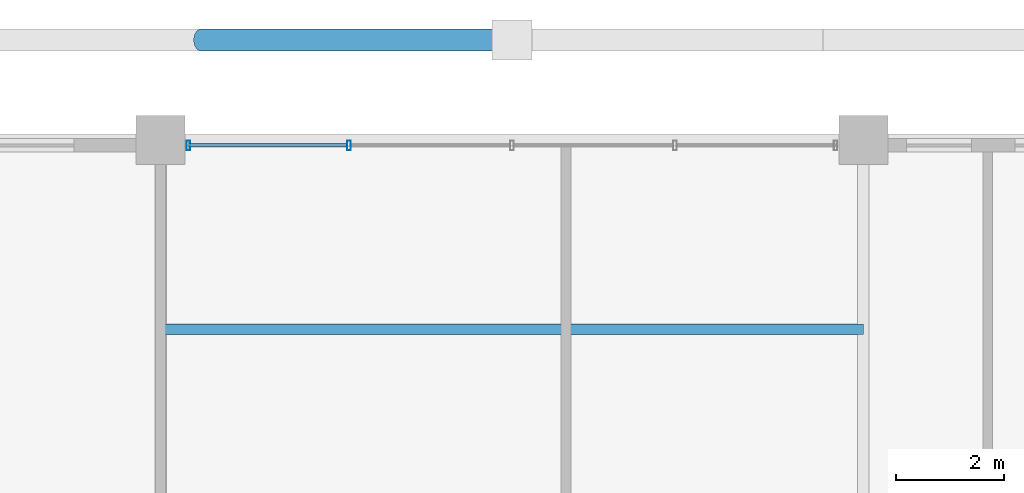
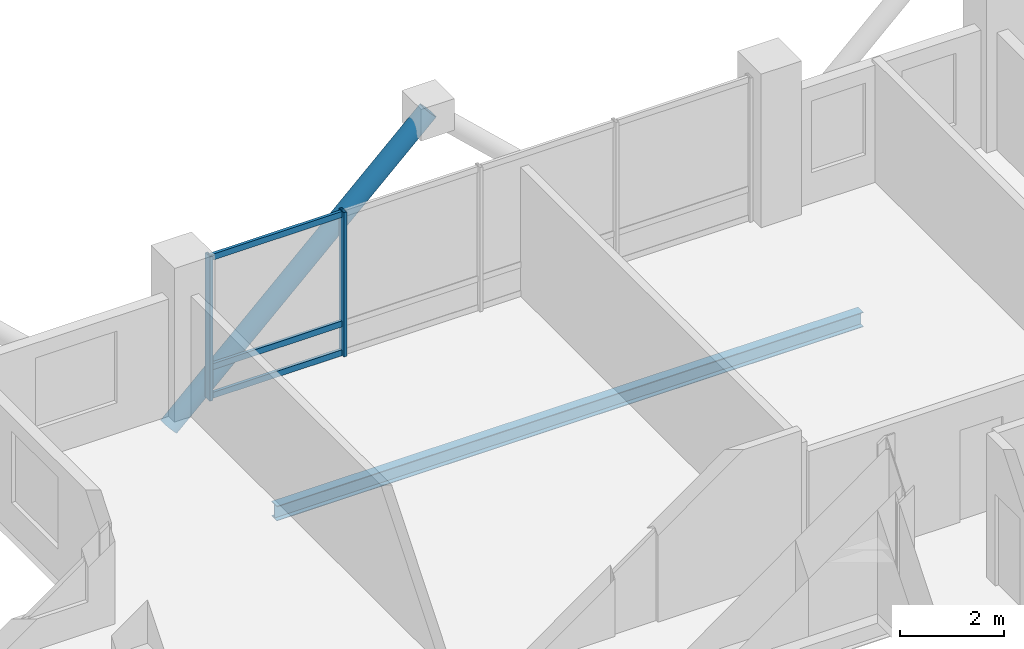
# One storey, part 14 of 22: 6 members, 1 beam, 1 element without a shape of its own.
"""IFC4 building model written with IfcOpenShell, lengths in metres."""

from ifc_helpers import new_model, si_unit, direction, frame, origin, origin_2d, place, context, subcontext, project, spatial, hollow_rectangle, hollow_circle, i_section, extrude, material, layer, layer_set, material_profile, profile_set, type_object, element, aggregate, save


model = new_model("IFC4")

# Units and contexts
model_context = context("Model", 3, precision=1e-05, world=origin(), true_north=direction((0.0, 1.0)))
body_context = subcontext(model_context, "Body", "Model", "MODEL_VIEW")
ifc_project = project(units=[si_unit("LENGTHUNIT", "METRE"), si_unit("AREAUNIT", "SQUARE_METRE"), si_unit("VOLUMEUNIT", "CUBIC_METRE"), si_unit("PLANEANGLEUNIT", "RADIAN"), si_unit("MASSUNIT", "GRAM", prefix="KILO")], contexts=[model_context])

# Site, building, storey
site_placement = place(None, origin())
site = spatial("IfcSite", under=ifc_project, at=site_placement, CompositionType="ELEMENT")
building_placement = place(site_placement, origin())
building = spatial("IfcBuilding", under=site, at=building_placement, Name="Barlavira Tower and Art Museum", CompositionType="ELEMENT")
storey_placement = place(building_placement, frame((0.0, 0.0, 269.10009765625)))
storey = spatial("IfcBuildingStorey", under=building, at=storey_placement, Name="L70", CompositionType="ELEMENT", Elevation=269.10009765625)

# Curtain wall, members
ifc_material_1 = material(Name="Low-iron coastal laminated glass", Category="glass")
ifc_layer = layer(ifc_material_1, 0.2099609375, Name="Low-iron coastal laminated glass")
ifc_layer_set = layer_set([ifc_layer], Name="Low-iron coastal laminated glass")
curtain_wall_type = type_object("IfcCurtainWallType", Name="Pale-Metal Unitised Curtain Wall Zone 4", PredefinedType="NOTDEFINED", material=ifc_layer_set)
curtain_wall_placement = place(storey_placement, origin())
curtain_wall = element("IfcCurtainWall", 1, at=curtain_wall_placement, inside=storey, type_object=curtain_wall_type, Name="L70 Curtain Wall CW4-L70-N-B2", PredefinedType="NOTDEFINED")
ifc_material_2 = material(Name="Pale anodised aluminium", Category="aluminium")
ifc_material_profile_1 = material_profile(ifc_material_2, hollow_rectangle(XDim=0.06494140625, YDim=0.179931640625, WallThickness=0.00390625, at=origin_2d()), Name="ALU-MULL 65x180x4")
ifc_profile_set_1 = profile_set([ifc_material_profile_1], Name="Pale anodised aluminium")
member_type_1 = type_object("IfcMemberType", Name="Curtain Wall Pale-Metal Mullion 65x180", PredefinedType="MULLION", material=ifc_profile_set_1)
member_1_placement = place(storey_placement, frame((-3.014892578125, 19.89990234375, 0.0), z_axis=(0.0, 0.0, 1.0), x_axis=(-1.0, 0.0, 0.0)))
member_1 = element("IfcMember", 2, at=member_1_placement, type_object=member_type_1, Name="CW4-L70-N-B2 Mullion 3", PredefinedType="MULLION", context=body_context, shape_type="SweptSolid", body=[
    extrude(hollow_rectangle(XDim=0.06494140625, YDim=0.179931640625, WallThickness=0.00390625, at=origin_2d()), origin(), (0.0, 0.0, 1.0), 3.3798828125),
])
member_2_placement = place(storey_placement, frame((-5.985107421875, 19.89990234375, 0.0), z_axis=(0.0, 0.0, 1.0), x_axis=(-1.0, 0.0, 0.0)))
member_2 = element("IfcMember", 3, at=member_2_placement, type_object=member_type_1, Name="CW4-L70-N-B2 Mullion 4", PredefinedType="MULLION", context=body_context, shape_type="SweptSolid", body=[
    extrude(hollow_rectangle(XDim=0.06494140625, YDim=0.179931640625, WallThickness=0.00390625, at=origin_2d()), origin(), (0.0, 0.0, 1.0), 3.3798828125),
])
ifc_material_profile_2 = material_profile(ifc_material_2, hollow_rectangle(XDim=0.06494140625, YDim=0.139892578125, WallThickness=0.00390625, at=origin_2d()), Name="ALU-TRAN 65x140x4")
ifc_profile_set_2 = profile_set([ifc_material_profile_2], Name="Pale anodised aluminium")
member_type_2 = type_object("IfcMemberType", Name="Curtain Wall Pale-Metal Transom 65x140", PredefinedType="USERDEFINED", material=ifc_profile_set_2)
member_3_placement = place(storey_placement, frame((-3.06005859375, 19.89990234375, 0.06982421875), z_axis=(-1.0, 0.0, 0.0), x_axis=(0.0, -1.0, 0.0)))
member_3 = element("IfcMember", 4, at=member_3_placement, type_object=member_type_2, Name="CW4-L70-N-B2 Transom 3.1", ObjectType="TRANSOM", PredefinedType="USERDEFINED", context=body_context, shape_type="SweptSolid", body=[
    extrude(hollow_rectangle(XDim=0.06494140625, YDim=0.139892578125, WallThickness=0.00390625, at=origin_2d()), origin(), (0.0, 0.0, 1.0), 2.925048828125),
])
member_4_placement = place(storey_placement, frame((-3.06005859375, 19.89990234375, 0.743896484375), z_axis=(-1.0, 0.0, 0.0), x_axis=(0.0, -1.0, 0.0)))
member_4 = element("IfcMember", 5, at=member_4_placement, type_object=member_type_2, Name="CW4-L70-N-B2 Transom 3.2", ObjectType="TRANSOM", PredefinedType="USERDEFINED", context=body_context, shape_type="SweptSolid", body=[
    extrude(hollow_rectangle(XDim=0.06494140625, YDim=0.139892578125, WallThickness=0.00390625, at=origin_2d()), origin(), (0.0, 0.0, 1.0), 2.925048828125),
])
member_5_placement = place(storey_placement, frame((-3.06005859375, 19.89990234375, 3.309814453125), z_axis=(-1.0, 0.0, 0.0), x_axis=(0.0, -1.0, 0.0)))
member_5 = element("IfcMember", 6, at=member_5_placement, type_object=member_type_2, Name="CW4-L70-N-B2 Transom 3.3", ObjectType="TRANSOM", PredefinedType="USERDEFINED", context=body_context, shape_type="SweptSolid", body=[
    extrude(hollow_rectangle(XDim=0.06494140625, YDim=0.139892578125, WallThickness=0.00390625, at=origin_2d()), origin(), (0.0, 0.0, 1.0), 2.925048828125),
])
aggregate(curtain_wall, [member_1, member_2, member_3, member_4, member_5])

# Member
ifc_material_3 = material(Name="Steel S355", Category="steel")
ifc_material_profile_3 = material_profile(ifc_material_3, hollow_circle(Radius=0.203125, WallThickness=0.01611328125, at=origin_2d()), Name="CHS 406.4x16.0")
ifc_profile_set_3 = profile_set([ifc_material_profile_3], Name="Steel S355")
member_type_3 = type_object("IfcMemberType", Name="Pale-Metal Exoskeleton Diagrid Tube CHS 406x16 Steel S355", PredefinedType="BRACE", material=ifc_profile_set_3)
member_6_placement = place(storey_placement, frame((-5.75, 21.85009765625, -1.920166015625), z_axis=(0.728934650808, 0.0, 0.684583285548), x_axis=(0.0, 1.0, 0.0)))
element("IfcMember", 7, at=member_6_placement, inside=storey, type_object=member_type_3, Name="L70 Exoskeleton Diagrid Tube N", PredefinedType="BRACE", context=body_context, shape_type="SweptSolid", body=[
    extrude(hollow_circle(Radius=0.203125, WallThickness=0.01611328125, at=origin_2d()), origin(), (0.0, 0.0, 1.0), 7.88818359375),
])

# Beam
ifc_material_profile_4 = material_profile(ifc_material_3, i_section(OverallWidth=0.202880859375, OverallDepth=0.346923828125, WebThickness=0.0078125, FlangeThickness=0.013427734375, at=origin_2d()), Name="W360x64.0")
ifc_profile_set_4 = profile_set([ifc_material_profile_4], Name="Steel S355")
beam_type = type_object("IfcBeamType", Name="Zone 4 Composite Floor Joist W360x64 Steel S355", PredefinedType="JOIST", material=ifc_profile_set_4)
beam_placement = place(storey_placement, frame((-6.5, 16.5, -0.3935546875), z_axis=(1.0, 0.0, 0.0), x_axis=(0.0, 1.0, 0.0)))
element("IfcBeam", 8, at=beam_placement, inside=storey, type_object=beam_type, Name="L70 Joist C2", PredefinedType="JOIST", context=body_context, shape_type="SweptSolid", body=[
    extrude(i_section(OverallWidth=0.202880859375, OverallDepth=0.346923828125, WebThickness=0.0078125, FlangeThickness=0.013427734375, at=origin_2d()), origin(), (0.0, 0.0, 1.0), 13.0),
])

save(model, "model.ifc")
